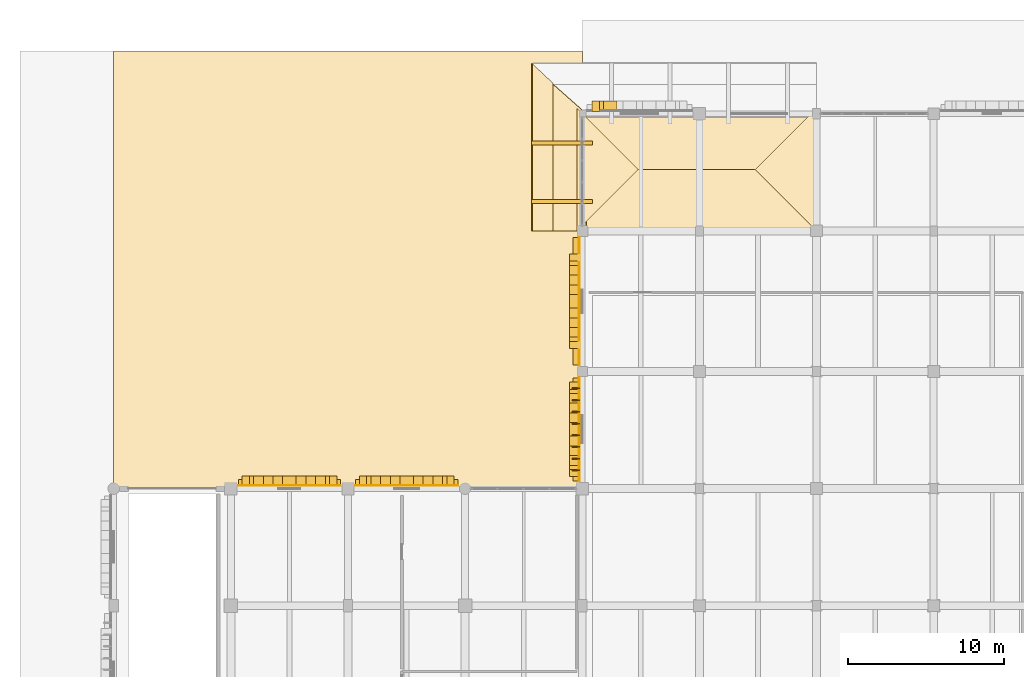
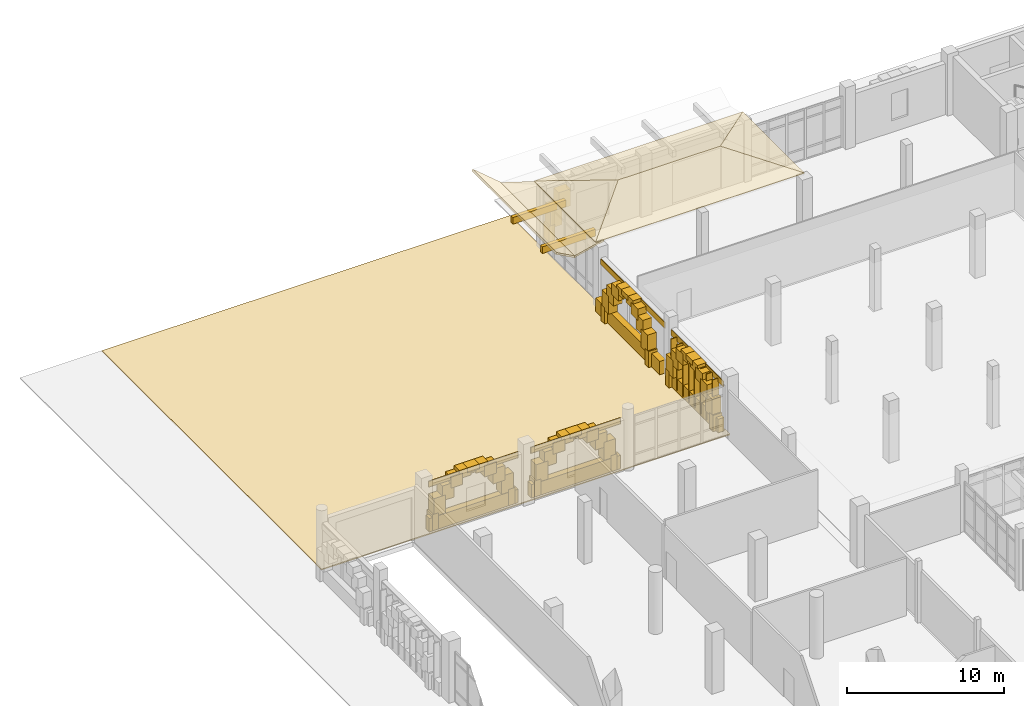
# One storey, part 112 of 125: 64 coverings, 8 shading devices.
"""IFC4 building model written with IfcOpenShell, lengths in metres."""

from ifc_helpers import new_model, si_unit, direction, frame, origin, origin_2d, place, context, subcontext, project, spatial, polyline, rectangle, outline, extrude, material, layer, layer_set, type_object, element, save


model = new_model("IFC4")

# Units and contexts
model_context = context("Model", 3, precision=1e-05, world=origin(), true_north=direction((0.0, 1.0)))
body_context = subcontext(model_context, "Body", "Model", "MODEL_VIEW")
ifc_project = project(units=[si_unit("LENGTHUNIT", "METRE"), si_unit("AREAUNIT", "SQUARE_METRE"), si_unit("VOLUMEUNIT", "CUBIC_METRE"), si_unit("PLANEANGLEUNIT", "RADIAN"), si_unit("MASSUNIT", "GRAM", prefix="KILO")], contexts=[model_context])

# Site, building, storey
site_placement = place(None, origin())
site = spatial("IfcSite", under=ifc_project, at=site_placement, CompositionType="ELEMENT")
building_placement = place(site_placement, origin())
building = spatial("IfcBuilding", under=site, at=building_placement, Name="Dalvernix Boulevard General Hospital", CompositionType="ELEMENT")
storey_placement = place(building_placement, origin())
storey = spatial("IfcBuildingStorey", under=building, at=storey_placement, Name="L00", CompositionType="ELEMENT", Elevation=0.0)

# Coverings
ifc_material_1 = material(Name="Pressed Catalan clay brick and dressed limestone parabolic archivolt", Category="masonry")
ifc_layer_1 = layer(ifc_material_1, 0.419921875)
ifc_layer_set_1 = layer_set([ifc_layer_1], Name="Pressed Catalan clay brick and dressed limestone parabolic archivolt (COV-ARC-01)")
covering_type_1 = type_object("IfcCoveringType", Name="COV-ARC-01", PredefinedType="CLADDING", material=ifc_layer_set_1)
for number, where, z_axis, x_axis, name in (
    (1, (8.449951171875, 93.485107421875, 0.0), (0.0, 0.0, 1.0), (1.0, 0.0, 0.0), "L00 Catalan parabolic arch impost pier N 1-12-L"),
    (2, (14.050048828125, 93.485107421875, 0.0), (0.0, 0.0, 1.0), (1.0, 0.0, 0.0), "L00 Catalan parabolic arch impost pier N 1-12-R"),
):
    element("IfcCovering", number, at=place(storey_placement, frame(where, z_axis=z_axis, x_axis=x_axis)), inside=storey, type_object=covering_type_1, Name=name, PredefinedType="CLADDING", context=body_context, shape_type="SweptSolid", body=[
        extrude(rectangle(XDim=0.4599609375, YDim=0.659912109375, at=origin_2d()), origin(), (0.0, 0.0, 1.0), 1.25),
    ])
covering_1_placement = place(storey_placement, frame((8.760986328125, 93.485107421875, 1.059814453125), z_axis=(0.0, 0.0, 1.0), x_axis=(1.0, 0.0, 0.0)))
element("IfcCovering", 3, at=covering_1_placement, inside=storey, type_object=covering_type_1, Name="L00 Catalan parabolic archivolt voussoir N 1-12-1", PredefinedType="CLADDING", context=body_context, shape_type="SweptSolid", body=[
    extrude(rectangle(XDim=0.8623046875, YDim=0.659912109375, at=origin_2d()), origin(), (0.0, 0.0, 1.0), 1.3994140625),
])
covering_2_placement = place(storey_placement, frame((9.38330078125, 93.485107421875, 2.07958984375), z_axis=(0.0, 0.0, 1.0), x_axis=(1.0, 0.0, 0.0)))
element("IfcCovering", 4, at=covering_2_placement, inside=storey, type_object=covering_type_1, Name="L00 Catalan parabolic archivolt voussoir N 1-12-2", PredefinedType="CLADDING", context=body_context, shape_type="SweptSolid", body=[
    extrude(rectangle(XDim=0.8623046875, YDim=0.659912109375, at=origin_2d()), origin(), (0.0, 0.0, 1.0), 1.144287109375),
])
covering_3_placement = place(storey_placement, frame((10.005615234375, 93.485107421875, 2.84375), z_axis=(0.0, 0.0, 1.0), x_axis=(1.0, 0.0, 0.0)))
element("IfcCovering", 5, at=covering_3_placement, inside=storey, type_object=covering_type_1, Name="L00 Catalan parabolic archivolt voussoir N 1-12-3", PredefinedType="CLADDING", context=body_context, shape_type="SweptSolid", body=[
    extrude(rectangle(XDim=0.8623046875, YDim=0.659912109375, at=origin_2d()), origin(), (0.0, 0.0, 1.0), 0.8896484375),
])
covering_4_placement = place(storey_placement, frame((10.627685546875, 93.485107421875, 3.353271484375), z_axis=(0.0, 0.0, 1.0), x_axis=(1.0, 0.0, 0.0)))
element("IfcCovering", 6, at=covering_4_placement, inside=storey, type_object=covering_type_1, Name="L00 Catalan parabolic archivolt voussoir N 1-12-4", PredefinedType="CLADDING", context=body_context, shape_type="SweptSolid", body=[
    extrude(rectangle(XDim=0.8623046875, YDim=0.659912109375, at=origin_2d()), origin(), (0.0, 0.0, 1.0), 0.634765625),
])
covering_5_placement = place(storey_placement, frame((11.25, 93.485107421875, 3.608154296875), z_axis=(0.0, 0.0, 1.0), x_axis=(1.0, 0.0, 0.0)))
element("IfcCovering", 7, at=covering_5_placement, inside=storey, type_object=covering_type_1, Name="L00 Catalan parabolic archivolt voussoir N 1-12-5", PredefinedType="CLADDING", context=body_context, shape_type="SweptSolid", body=[
    extrude(rectangle(XDim=0.8623046875, YDim=0.659912109375, at=origin_2d()), origin(), (0.0, 0.0, 1.0), 0.3798828125),
])
covering_6_placement = place(storey_placement, frame((11.872314453125, 93.485107421875, 3.353271484375), z_axis=(0.0, 0.0, 1.0), x_axis=(1.0, 0.0, 0.0)))
element("IfcCovering", 8, at=covering_6_placement, inside=storey, type_object=covering_type_1, Name="L00 Catalan parabolic archivolt voussoir N 1-12-6", PredefinedType="CLADDING", context=body_context, shape_type="SweptSolid", body=[
    extrude(rectangle(XDim=0.8623046875, YDim=0.659912109375, at=origin_2d()), origin(), (0.0, 0.0, 1.0), 0.634765625),
])
covering_7_placement = place(storey_placement, frame((12.494384765625, 93.485107421875, 2.84375), z_axis=(0.0, 0.0, 1.0), x_axis=(1.0, 0.0, 0.0)))
element("IfcCovering", 9, at=covering_7_placement, inside=storey, type_object=covering_type_1, Name="L00 Catalan parabolic archivolt voussoir N 1-12-7", PredefinedType="CLADDING", context=body_context, shape_type="SweptSolid", body=[
    extrude(rectangle(XDim=0.8623046875, YDim=0.659912109375, at=origin_2d()), origin(), (0.0, 0.0, 1.0), 0.8896484375),
])
covering_8_placement = place(storey_placement, frame((13.11669921875, 93.485107421875, 2.07958984375), z_axis=(0.0, 0.0, 1.0), x_axis=(1.0, 0.0, 0.0)))
element("IfcCovering", 10, at=covering_8_placement, inside=storey, type_object=covering_type_1, Name="L00 Catalan parabolic archivolt voussoir N 1-12-8", PredefinedType="CLADDING", context=body_context, shape_type="SweptSolid", body=[
    extrude(rectangle(XDim=0.8623046875, YDim=0.659912109375, at=origin_2d()), origin(), (0.0, 0.0, 1.0), 1.144287109375),
])
covering_9_placement = place(storey_placement, frame((13.739013671875, 93.485107421875, 1.059814453125), z_axis=(0.0, 0.0, 1.0), x_axis=(1.0, 0.0, 0.0)))
element("IfcCovering", 11, at=covering_9_placement, inside=storey, type_object=covering_type_1, Name="L00 Catalan parabolic archivolt voussoir N 1-12-9", PredefinedType="CLADDING", context=body_context, shape_type="SweptSolid", body=[
    extrude(rectangle(XDim=0.8623046875, YDim=0.659912109375, at=origin_2d()), origin(), (0.0, 0.0, 1.0), 1.3994140625),
])
for number, where, z_axis, x_axis, name in (
    (12, (15.96240234375, 93.485107421875, 0.0), (0.0, 0.0, 1.0), (1.0, 0.0, 0.0), "L00 Catalan parabolic arch impost pier N 2-12-L"),
    (13, (21.5625, 93.485107421875, 0.0), (0.0, 0.0, 1.0), (1.0, 0.0, 0.0), "L00 Catalan parabolic arch impost pier N 2-12-R"),
):
    element("IfcCovering", number, at=place(storey_placement, frame(where, z_axis=z_axis, x_axis=x_axis)), inside=storey, type_object=covering_type_1, Name=name, PredefinedType="CLADDING", context=body_context, shape_type="SweptSolid", body=[
        extrude(rectangle(XDim=0.4599609375, YDim=0.659912109375, at=origin_2d()), origin(), (0.0, 0.0, 1.0), 1.25),
    ])
covering_10_placement = place(storey_placement, frame((16.273681640625, 93.485107421875, 1.059814453125), z_axis=(0.0, 0.0, 1.0), x_axis=(1.0, 0.0, 0.0)))
element("IfcCovering", 14, at=covering_10_placement, inside=storey, type_object=covering_type_1, Name="L00 Catalan parabolic archivolt voussoir N 2-12-1", PredefinedType="CLADDING", context=body_context, shape_type="SweptSolid", body=[
    extrude(rectangle(XDim=0.8623046875, YDim=0.659912109375, at=origin_2d()), origin(), (0.0, 0.0, 1.0), 1.3994140625),
])
covering_11_placement = place(storey_placement, frame((16.895751953125, 93.485107421875, 2.07958984375), z_axis=(0.0, 0.0, 1.0), x_axis=(1.0, 0.0, 0.0)))
element("IfcCovering", 15, at=covering_11_placement, inside=storey, type_object=covering_type_1, Name="L00 Catalan parabolic archivolt voussoir N 2-12-2", PredefinedType="CLADDING", context=body_context, shape_type="SweptSolid", body=[
    extrude(rectangle(XDim=0.8623046875, YDim=0.659912109375, at=origin_2d()), origin(), (0.0, 0.0, 1.0), 1.144287109375),
])
covering_12_placement = place(storey_placement, frame((17.51806640625, 93.485107421875, 2.84375), z_axis=(0.0, 0.0, 1.0), x_axis=(1.0, 0.0, 0.0)))
element("IfcCovering", 16, at=covering_12_placement, inside=storey, type_object=covering_type_1, Name="L00 Catalan parabolic archivolt voussoir N 2-12-3", PredefinedType="CLADDING", context=body_context, shape_type="SweptSolid", body=[
    extrude(rectangle(XDim=0.8623046875, YDim=0.659912109375, at=origin_2d()), origin(), (0.0, 0.0, 1.0), 0.8896484375),
])
covering_13_placement = place(storey_placement, frame((18.140380859375, 93.485107421875, 3.353271484375), z_axis=(0.0, 0.0, 1.0), x_axis=(1.0, 0.0, 0.0)))
element("IfcCovering", 17, at=covering_13_placement, inside=storey, type_object=covering_type_1, Name="L00 Catalan parabolic archivolt voussoir N 2-12-4", PredefinedType="CLADDING", context=body_context, shape_type="SweptSolid", body=[
    extrude(rectangle(XDim=0.8623046875, YDim=0.659912109375, at=origin_2d()), origin(), (0.0, 0.0, 1.0), 0.634765625),
])
covering_14_placement = place(storey_placement, frame((18.762451171875, 93.485107421875, 3.608154296875), z_axis=(0.0, 0.0, 1.0), x_axis=(1.0, 0.0, 0.0)))
element("IfcCovering", 18, at=covering_14_placement, inside=storey, type_object=covering_type_1, Name="L00 Catalan parabolic archivolt voussoir N 2-12-5", PredefinedType="CLADDING", context=body_context, shape_type="SweptSolid", body=[
    extrude(rectangle(XDim=0.8623046875, YDim=0.659912109375, at=origin_2d()), origin(), (0.0, 0.0, 1.0), 0.3798828125),
])
covering_15_placement = place(storey_placement, frame((19.384765625, 93.485107421875, 3.353271484375), z_axis=(0.0, 0.0, 1.0), x_axis=(1.0, 0.0, 0.0)))
element("IfcCovering", 19, at=covering_15_placement, inside=storey, type_object=covering_type_1, Name="L00 Catalan parabolic archivolt voussoir N 2-12-6", PredefinedType="CLADDING", context=body_context, shape_type="SweptSolid", body=[
    extrude(rectangle(XDim=0.8623046875, YDim=0.659912109375, at=origin_2d()), origin(), (0.0, 0.0, 1.0), 0.634765625),
])
covering_16_placement = place(storey_placement, frame((20.0068359375, 93.485107421875, 2.84375), z_axis=(0.0, 0.0, 1.0), x_axis=(1.0, 0.0, 0.0)))
element("IfcCovering", 20, at=covering_16_placement, inside=storey, type_object=covering_type_1, Name="L00 Catalan parabolic archivolt voussoir N 2-12-7", PredefinedType="CLADDING", context=body_context, shape_type="SweptSolid", body=[
    extrude(rectangle(XDim=0.8623046875, YDim=0.659912109375, at=origin_2d()), origin(), (0.0, 0.0, 1.0), 0.8896484375),
])
covering_17_placement = place(storey_placement, frame((20.629150390625, 93.485107421875, 2.07958984375), z_axis=(0.0, 0.0, 1.0), x_axis=(1.0, 0.0, 0.0)))
element("IfcCovering", 21, at=covering_17_placement, inside=storey, type_object=covering_type_1, Name="L00 Catalan parabolic archivolt voussoir N 2-12-8", PredefinedType="CLADDING", context=body_context, shape_type="SweptSolid", body=[
    extrude(rectangle(XDim=0.8623046875, YDim=0.659912109375, at=origin_2d()), origin(), (0.0, 0.0, 1.0), 1.144287109375),
])
covering_18_placement = place(storey_placement, frame((21.25146484375, 93.485107421875, 1.059814453125), z_axis=(0.0, 0.0, 1.0), x_axis=(1.0, 0.0, 0.0)))
element("IfcCovering", 22, at=covering_18_placement, inside=storey, type_object=covering_type_1, Name="L00 Catalan parabolic archivolt voussoir N 2-12-9", PredefinedType="CLADDING", context=body_context, shape_type="SweptSolid", body=[
    extrude(rectangle(XDim=0.8623046875, YDim=0.659912109375, at=origin_2d()), origin(), (0.0, 0.0, 1.0), 1.3994140625),
])
for number, where, z_axis, x_axis, name in (
    (23, (29.514892578125, 93.987548828125, 0.0), (0.0, 0.0, 1.0), (0.0, 1.0, 0.0), "L00 Catalan parabolic arch impost pier W 4-12-L"),
    (24, (29.514892578125, 99.58740234375, 0.0), (0.0, 0.0, 1.0), (0.0, 1.0, 0.0), "L00 Catalan parabolic arch impost pier W 4-12-R"),
):
    element("IfcCovering", number, at=place(storey_placement, frame(where, z_axis=z_axis, x_axis=x_axis)), inside=storey, type_object=covering_type_1, Name=name, PredefinedType="CLADDING", context=body_context, shape_type="SweptSolid", body=[
        extrude(rectangle(XDim=0.4599609375, YDim=0.659912109375, at=origin_2d()), origin(), (0.0, 0.0, 1.0), 1.25),
    ])
covering_19_placement = place(storey_placement, frame((29.514892578125, 94.298583984375, 1.06005859375), z_axis=(0.0, 0.0, 1.0), x_axis=(0.0, 1.0, 0.0)))
element("IfcCovering", 25, at=covering_19_placement, inside=storey, type_object=covering_type_1, Name="L00 Catalan parabolic archivolt voussoir W 4-12-1", PredefinedType="CLADDING", context=body_context, shape_type="SweptSolid", body=[
    extrude(rectangle(XDim=0.8623046875, YDim=0.659912109375, at=origin_2d()), origin(), (0.0, 0.0, 1.0), 1.37939453125),
])
covering_20_placement = place(storey_placement, frame((29.514892578125, 94.9208984375, 2.0595703125), z_axis=(0.0, 0.0, 1.0), x_axis=(0.0, 1.0, 0.0)))
element("IfcCovering", 26, at=covering_20_placement, inside=storey, type_object=covering_type_1, Name="L00 Catalan parabolic archivolt voussoir W 4-12-2", PredefinedType="CLADDING", context=body_context, shape_type="SweptSolid", body=[
    extrude(rectangle(XDim=0.8623046875, YDim=0.659912109375, at=origin_2d()), origin(), (0.0, 0.0, 1.0), 1.129638671875),
])
covering_21_placement = place(storey_placement, frame((29.514892578125, 95.543212890625, 2.80908203125), z_axis=(0.0, 0.0, 1.0), x_axis=(0.0, 1.0, 0.0)))
element("IfcCovering", 27, at=covering_21_placement, inside=storey, type_object=covering_type_1, Name="L00 Catalan parabolic archivolt voussoir W 4-12-3", PredefinedType="CLADDING", context=body_context, shape_type="SweptSolid", body=[
    extrude(rectangle(XDim=0.8623046875, YDim=0.659912109375, at=origin_2d()), origin(), (0.0, 0.0, 1.0), 0.8798828125),
])
covering_22_placement = place(storey_placement, frame((29.514892578125, 96.165283203125, 3.308837890625), z_axis=(0.0, 0.0, 1.0), x_axis=(0.0, 1.0, 0.0)))
element("IfcCovering", 28, at=covering_22_placement, inside=storey, type_object=covering_type_1, Name="L00 Catalan parabolic archivolt voussoir W 4-12-4", PredefinedType="CLADDING", context=body_context, shape_type="SweptSolid", body=[
    extrude(rectangle(XDim=0.8623046875, YDim=0.659912109375, at=origin_2d()), origin(), (0.0, 0.0, 1.0), 0.6298828125),
])
covering_23_placement = place(storey_placement, frame((29.514892578125, 96.78759765625, 3.558837890625), z_axis=(0.0, 0.0, 1.0), x_axis=(0.0, 1.0, 0.0)))
element("IfcCovering", 29, at=covering_23_placement, inside=storey, type_object=covering_type_1, Name="L00 Catalan parabolic archivolt voussoir W 4-12-5", PredefinedType="CLADDING", context=body_context, shape_type="SweptSolid", body=[
    extrude(rectangle(XDim=0.8623046875, YDim=0.659912109375, at=origin_2d()), origin(), (0.0, 0.0, 1.0), 0.3798828125),
])
covering_24_placement = place(storey_placement, frame((29.514892578125, 97.40966796875, 3.308837890625), z_axis=(0.0, 0.0, 1.0), x_axis=(0.0, 1.0, 0.0)))
element("IfcCovering", 30, at=covering_24_placement, inside=storey, type_object=covering_type_1, Name="L00 Catalan parabolic archivolt voussoir W 4-12-6", PredefinedType="CLADDING", context=body_context, shape_type="SweptSolid", body=[
    extrude(rectangle(XDim=0.8623046875, YDim=0.659912109375, at=origin_2d()), origin(), (0.0, 0.0, 1.0), 0.6298828125),
])
covering_25_placement = place(storey_placement, frame((29.514892578125, 98.031982421875, 2.80908203125), z_axis=(0.0, 0.0, 1.0), x_axis=(0.0, 1.0, 0.0)))
element("IfcCovering", 31, at=covering_25_placement, inside=storey, type_object=covering_type_1, Name="L00 Catalan parabolic archivolt voussoir W 4-12-7", PredefinedType="CLADDING", context=body_context, shape_type="SweptSolid", body=[
    extrude(rectangle(XDim=0.8623046875, YDim=0.659912109375, at=origin_2d()), origin(), (0.0, 0.0, 1.0), 0.8798828125),
])
covering_26_placement = place(storey_placement, frame((29.514892578125, 98.654296875, 2.0595703125), z_axis=(0.0, 0.0, 1.0), x_axis=(0.0, 1.0, 0.0)))
element("IfcCovering", 32, at=covering_26_placement, inside=storey, type_object=covering_type_1, Name="L00 Catalan parabolic archivolt voussoir W 4-12-8", PredefinedType="CLADDING", context=body_context, shape_type="SweptSolid", body=[
    extrude(rectangle(XDim=0.8623046875, YDim=0.659912109375, at=origin_2d()), origin(), (0.0, 0.0, 1.0), 1.129638671875),
])
covering_27_placement = place(storey_placement, frame((29.514892578125, 99.2763671875, 1.06005859375), z_axis=(0.0, 0.0, 1.0), x_axis=(0.0, 1.0, 0.0)))
element("IfcCovering", 33, at=covering_27_placement, inside=storey, type_object=covering_type_1, Name="L00 Catalan parabolic archivolt voussoir W 4-12-9", PredefinedType="CLADDING", context=body_context, shape_type="SweptSolid", body=[
    extrude(rectangle(XDim=0.8623046875, YDim=0.659912109375, at=origin_2d()), origin(), (0.0, 0.0, 1.0), 1.37939453125),
])
for number, where, z_axis, x_axis, name in (
    (34, (29.514892578125, 102.1875, 0.0), (0.0, 0.0, 1.0), (0.0, 1.0, 0.0), "L00 Catalan parabolic arch impost pier W 4-13-L"),
    (35, (29.514892578125, 107.78759765625, 0.0), (0.0, 0.0, 1.0), (0.0, 1.0, 0.0), "L00 Catalan parabolic arch impost pier W 4-13-R"),
):
    element("IfcCovering", number, at=place(storey_placement, frame(where, z_axis=z_axis, x_axis=x_axis)), inside=storey, type_object=covering_type_1, Name=name, PredefinedType="CLADDING", context=body_context, shape_type="SweptSolid", body=[
        extrude(rectangle(XDim=0.4599609375, YDim=0.659912109375, at=origin_2d()), origin(), (0.0, 0.0, 1.0), 1.25),
    ])
covering_28_placement = place(storey_placement, frame((29.514892578125, 102.49853515625, 1.059814453125), z_axis=(0.0, 0.0, 1.0), x_axis=(0.0, 1.0, 0.0)))
element("IfcCovering", 36, at=covering_28_placement, inside=storey, type_object=covering_type_1, Name="L00 Catalan parabolic archivolt voussoir W 4-13-1", PredefinedType="CLADDING", context=body_context, shape_type="SweptSolid", body=[
    extrude(rectangle(XDim=0.8623046875, YDim=0.659912109375, at=origin_2d()), origin(), (0.0, 0.0, 1.0), 1.3994140625),
])
covering_29_placement = place(storey_placement, frame((29.514892578125, 103.120849609375, 2.07958984375), z_axis=(0.0, 0.0, 1.0), x_axis=(0.0, 1.0, 0.0)))
element("IfcCovering", 37, at=covering_29_placement, inside=storey, type_object=covering_type_1, Name="L00 Catalan parabolic archivolt voussoir W 4-13-2", PredefinedType="CLADDING", context=body_context, shape_type="SweptSolid", body=[
    extrude(rectangle(XDim=0.8623046875, YDim=0.659912109375, at=origin_2d()), origin(), (0.0, 0.0, 1.0), 1.144287109375),
])
covering_30_placement = place(storey_placement, frame((29.514892578125, 103.7431640625, 2.84375), z_axis=(0.0, 0.0, 1.0), x_axis=(0.0, 1.0, 0.0)))
element("IfcCovering", 38, at=covering_30_placement, inside=storey, type_object=covering_type_1, Name="L00 Catalan parabolic archivolt voussoir W 4-13-3", PredefinedType="CLADDING", context=body_context, shape_type="SweptSolid", body=[
    extrude(rectangle(XDim=0.8623046875, YDim=0.659912109375, at=origin_2d()), origin(), (0.0, 0.0, 1.0), 0.8896484375),
])
covering_31_placement = place(storey_placement, frame((29.514892578125, 104.365234375, 3.353271484375), z_axis=(0.0, 0.0, 1.0), x_axis=(0.0, 1.0, 0.0)))
element("IfcCovering", 39, at=covering_31_placement, inside=storey, type_object=covering_type_1, Name="L00 Catalan parabolic archivolt voussoir W 4-13-4", PredefinedType="CLADDING", context=body_context, shape_type="SweptSolid", body=[
    extrude(rectangle(XDim=0.8623046875, YDim=0.659912109375, at=origin_2d()), origin(), (0.0, 0.0, 1.0), 0.634765625),
])
covering_32_placement = place(storey_placement, frame((29.514892578125, 104.987548828125, 3.608154296875), z_axis=(0.0, 0.0, 1.0), x_axis=(0.0, 1.0, 0.0)))
element("IfcCovering", 40, at=covering_32_placement, inside=storey, type_object=covering_type_1, Name="L00 Catalan parabolic archivolt voussoir W 4-13-5", PredefinedType="CLADDING", context=body_context, shape_type="SweptSolid", body=[
    extrude(rectangle(XDim=0.8623046875, YDim=0.659912109375, at=origin_2d()), origin(), (0.0, 0.0, 1.0), 0.3798828125),
])
covering_33_placement = place(storey_placement, frame((29.514892578125, 105.609619140625, 3.353271484375), z_axis=(0.0, 0.0, 1.0), x_axis=(0.0, 1.0, 0.0)))
element("IfcCovering", 41, at=covering_33_placement, inside=storey, type_object=covering_type_1, Name="L00 Catalan parabolic archivolt voussoir W 4-13-6", PredefinedType="CLADDING", context=body_context, shape_type="SweptSolid", body=[
    extrude(rectangle(XDim=0.8623046875, YDim=0.659912109375, at=origin_2d()), origin(), (0.0, 0.0, 1.0), 0.634765625),
])
covering_34_placement = place(storey_placement, frame((29.514892578125, 106.23193359375, 2.84375), z_axis=(0.0, 0.0, 1.0), x_axis=(0.0, 1.0, 0.0)))
element("IfcCovering", 42, at=covering_34_placement, inside=storey, type_object=covering_type_1, Name="L00 Catalan parabolic archivolt voussoir W 4-13-7", PredefinedType="CLADDING", context=body_context, shape_type="SweptSolid", body=[
    extrude(rectangle(XDim=0.8623046875, YDim=0.659912109375, at=origin_2d()), origin(), (0.0, 0.0, 1.0), 0.8896484375),
])
covering_35_placement = place(storey_placement, frame((29.514892578125, 106.854248046875, 2.07958984375), z_axis=(0.0, 0.0, 1.0), x_axis=(0.0, 1.0, 0.0)))
element("IfcCovering", 43, at=covering_35_placement, inside=storey, type_object=covering_type_1, Name="L00 Catalan parabolic archivolt voussoir W 4-13-8", PredefinedType="CLADDING", context=body_context, shape_type="SweptSolid", body=[
    extrude(rectangle(XDim=0.8623046875, YDim=0.659912109375, at=origin_2d()), origin(), (0.0, 0.0, 1.0), 1.144287109375),
])
covering_36_placement = place(storey_placement, frame((29.514892578125, 107.476318359375, 1.059814453125), z_axis=(0.0, 0.0, 1.0), x_axis=(0.0, 1.0, 0.0)))
element("IfcCovering", 44, at=covering_36_placement, inside=storey, type_object=covering_type_1, Name="L00 Catalan parabolic archivolt voussoir W 4-13-9", PredefinedType="CLADDING", context=body_context, shape_type="SweptSolid", body=[
    extrude(rectangle(XDim=0.8623046875, YDim=0.659912109375, at=origin_2d()), origin(), (0.0, 0.0, 1.0), 1.3994140625),
])
covering_37_placement = place(storey_placement, frame((30.862548828125, 117.485107421875, 0.0), z_axis=(0.0, 0.0, 1.0), x_axis=(1.0, 0.0, 0.0)))
element("IfcCovering", 45, at=covering_37_placement, inside=storey, type_object=covering_type_1, Name="L00 Catalan parabolic arch impost pier N 4-15-L", PredefinedType="CLADDING", context=body_context, shape_type="SweptSolid", body=[
    extrude(rectangle(XDim=0.4599609375, YDim=0.659912109375, at=origin_2d()), origin(), (0.0, 0.0, 1.0), 1.25),
])
covering_38_placement = place(storey_placement, frame((31.173583984375, 117.485107421875, 1.06005859375), z_axis=(0.0, 0.0, 1.0), x_axis=(1.0, 0.0, 0.0)))
element("IfcCovering", 46, at=covering_38_placement, inside=storey, type_object=covering_type_1, Name="L00 Catalan parabolic archivolt voussoir N 4-15-1", PredefinedType="CLADDING", context=body_context, shape_type="SweptSolid", body=[
    extrude(rectangle(XDim=0.8623046875, YDim=0.659912109375, at=origin_2d()), origin(), (0.0, 0.0, 1.0), 1.616455078125),
])
covering_39_placement = place(storey_placement, frame((31.7958984375, 117.485107421875, 2.29638671875), z_axis=(0.0, 0.0, 1.0), x_axis=(1.0, 0.0, 0.0)))
element("IfcCovering", 47, at=covering_39_placement, inside=storey, type_object=covering_type_1, Name="L00 Catalan parabolic archivolt voussoir N 4-15-2", PredefinedType="CLADDING", context=body_context, shape_type="SweptSolid", body=[
    extrude(rectangle(XDim=0.8623046875, YDim=0.659912109375, at=origin_2d()), origin(), (0.0, 0.0, 1.0), 1.307373046875),
])
ifc_material_2 = material(Name="Polychrome Catalan glazed ceramic spandrel tile panel")
ifc_layer_2 = layer(ifc_material_2, 0.044921875)
ifc_layer_set_2 = layer_set([ifc_layer_2], Name="Polychrome Catalan glazed ceramic spandrel tile panel (COV-CLD-01)")
covering_type_2 = type_object("IfcCoveringType", Name="COV-CLD-01", PredefinedType="CLADDING", material=ifc_layer_set_2)
covering_40_placement = place(storey_placement, frame((11.25, 93.195068359375, 3.47509765625), z_axis=(0.0, 0.0, 1.0), x_axis=(1.0, 0.0, 0.0)))
element("IfcCovering", 48, at=covering_40_placement, inside=storey, type_object=covering_type_2, Name="L00 polychrome ceramic spandrel N 1-12", PredefinedType="CLADDING", context=body_context, shape_type="SweptSolid", body=[
    extrude(rectangle(XDim=6.580078125, YDim=0.044921875, at=origin_2d()), origin(), (0.0, 0.0, 1.0), 0.449951171875),
])
covering_41_placement = place(storey_placement, frame((18.762451171875, 93.195068359375, 3.47509765625), z_axis=(0.0, 0.0, 1.0), x_axis=(1.0, 0.0, 0.0)))
element("IfcCovering", 49, at=covering_41_placement, inside=storey, type_object=covering_type_2, Name="L00 polychrome ceramic spandrel N 2-12", PredefinedType="CLADDING", context=body_context, shape_type="SweptSolid", body=[
    extrude(rectangle(XDim=6.60498046875, YDim=0.044921875, at=origin_2d()), origin(), (0.0, 0.0, 1.0), 0.449951171875),
])
covering_42_placement = place(storey_placement, frame((29.804931640625, 96.78759765625, 3.4248046875), z_axis=(0.0, 0.0, 1.0), x_axis=(0.0, 1.0, 0.0)))
element("IfcCovering", 50, at=covering_42_placement, inside=storey, type_object=covering_type_2, Name="L00 polychrome ceramic spandrel W 4-12", PredefinedType="CLADDING", context=body_context, shape_type="SweptSolid", body=[
    extrude(rectangle(XDim=6.655029296875, YDim=0.044921875, at=origin_2d()), origin(), (0.0, 0.0, 1.0), 0.449951171875),
])
covering_43_placement = place(storey_placement, frame((29.804931640625, 104.987548828125, 3.47509765625), z_axis=(0.0, 0.0, 1.0), x_axis=(0.0, 1.0, 0.0)))
element("IfcCovering", 51, at=covering_43_placement, inside=storey, type_object=covering_type_2, Name="L00 polychrome ceramic spandrel W 4-13", PredefinedType="CLADDING", context=body_context, shape_type="SweptSolid", body=[
    extrude(rectangle(XDim=8.205078125, YDim=0.044921875, at=origin_2d()), origin(), (0.0, 0.0, 1.0), 0.449951171875),
])
ifc_material_3 = material(Name="Dressed ochre limestone classical plinth, stringcourse and corbelled cornice", Category="masonry")
ifc_layer_3 = layer(ifc_material_3, 0.449951171875)
ifc_layer_set_3 = layer_set([ifc_layer_3], Name="Dressed ochre limestone classical plinth, stringcourse and corbelled cornice (COV-CRN-01)")
covering_type_3 = type_object("IfcCoveringType", Name="COV-CRN-01", PredefinedType="CLADDING", material=ifc_layer_set_3)
covering_44_placement = place(storey_placement, frame((11.25, 93.375, 0.0), z_axis=(0.0, 0.0, 1.0), x_axis=(1.0, 0.0, 0.0)))
element("IfcCovering", 52, at=covering_44_placement, inside=storey, type_object=covering_type_3, Name="L00 rusticated limestone classical plinth N 1-12", PredefinedType="CLADDING", context=body_context, shape_type="SweptSolid", body=[
    extrude(rectangle(XDim=6.52001953125, YDim=0.43994140625, at=origin_2d()), origin(), (0.0, 0.0, 1.0), 1.0400390625),
])
covering_45_placement = place(storey_placement, frame((18.762451171875, 93.375, 0.0), z_axis=(0.0, 0.0, 1.0), x_axis=(1.0, 0.0, 0.0)))
element("IfcCovering", 53, at=covering_45_placement, inside=storey, type_object=covering_type_3, Name="L00 rusticated limestone classical plinth N 2-12", PredefinedType="CLADDING", context=body_context, shape_type="SweptSolid", body=[
    extrude(rectangle(XDim=6.544921875, YDim=0.43994140625, at=origin_2d()), origin(), (0.0, 0.0, 1.0), 1.0400390625),
])
covering_46_placement = place(storey_placement, frame((29.625, 96.78759765625, 0.0), z_axis=(0.0, 0.0, 1.0), x_axis=(0.0, 1.0, 0.0)))
element("IfcCovering", 54, at=covering_46_placement, inside=storey, type_object=covering_type_3, Name="L00 rusticated limestone classical plinth W 4-12", PredefinedType="CLADDING", context=body_context, shape_type="SweptSolid", body=[
    extrude(rectangle(XDim=6.594970703125, YDim=0.43994140625, at=origin_2d()), origin(), (0.0, 0.0, 1.0), 1.0400390625),
])
covering_47_placement = place(storey_placement, frame((29.625, 104.987548828125, 0.0), z_axis=(0.0, 0.0, 1.0), x_axis=(0.0, 1.0, 0.0)))
element("IfcCovering", 55, at=covering_47_placement, inside=storey, type_object=covering_type_3, Name="L00 rusticated limestone classical plinth W 4-13", PredefinedType="CLADDING", context=body_context, shape_type="SweptSolid", body=[
    extrude(rectangle(XDim=8.14501953125, YDim=0.43994140625, at=origin_2d()), origin(), (0.0, 0.0, 1.0), 1.0400390625),
])
ifc_material_4 = material(Name="Glazed Catalan terracotta and iroko timber overhanging upturned eave", Category="masonry")
ifc_layer_4 = layer(ifc_material_4, 0.139892578125)
ifc_layer_set_4 = layer_set([ifc_layer_4], Name="Glazed Catalan terracotta and iroko timber overhanging upturned eave (COV-EAVE-01)")
covering_type_4 = type_object("IfcCoveringType", Name="COV-EAVE-01", PredefinedType="CLADDING", material=ifc_layer_set_4)
covering_48_placement = place(storey_placement, frame((30.25, 117.0, 5.006103515625), z_axis=(-0.230038471981, 0.0, 0.97318153569), x_axis=(0.0, -1.0, 0.0)))
element("IfcCovering", 56, at=covering_48_placement, inside=storey, type_object=covering_type_4, Name="V3-L00NW overhanging ceramic eave skirt W", PredefinedType="CLADDING", context=body_context, shape_type="SweptSolid", body=[
    extrude(outline(polyline([(0.0, 0.0), (7.5, 0.0), (7.5, -2.2605763582581444), (-1.949951171875, -2.2605763582581444), (0.0, 0.0)])), origin(), (0.0, 0.0, -1.0), 0.139892578125),
])
covering_49_placement = place(storey_placement, frame((28.1298828125, 118.949951171875, 4.486083984375), z_axis=(0.476101106464, 0.0, 0.879390548291), x_axis=(0.0, -1.0, 0.0)))
element("IfcCovering", 57, at=covering_49_placement, inside=storey, type_object=covering_type_4, Name="V3-L00NW upturned ceramic eave wing W", PredefinedType="CLADDING", context=body_context, shape_type="SweptSolid", body=[
    extrude(outline(polyline([(0.0, 0.0), (9.449951171875, 0.0), (9.449951171875, -1.5122222850351714), (-1.25, -1.5122222850351714), (0.0, 0.0)])), origin(), (0.0, 0.0, -1.0), 0.139892578125),
])
ifc_material_5 = material(Name="Preservative-treated glulam GL28h eave outlooker corbel bracket", Category="wood")
ifc_layer_5 = layer(ifc_material_5, 0.239990234375)
ifc_layer_set_5 = layer_set([ifc_layer_5], Name="Preservative-treated glulam GL28h eave outlooker corbel bracket (COV-OUTLOOK-01)")
covering_type_5 = type_object("IfcCoveringType", Name="COV-OUTLOOK-01", PredefinedType="CLADDING", material=ifc_layer_set_5)
for number, where, z_axis, x_axis, name in (
    (58, (28.699951171875, 111.375, 4.0859375), (0.0, 0.0, 1.0), (1.0, 0.0, 0.0), "V3-L00NW glulam eave outlooker corbel W-1"),
    (59, (28.699951171875, 115.125, 4.0859375), (0.0, 0.0, 1.0), (1.0, 0.0, 0.0), "V3-L00NW glulam eave outlooker corbel W-2"),
):
    element("IfcCovering", number, at=place(storey_placement, frame(where, z_axis=z_axis, x_axis=x_axis)), inside=storey, type_object=covering_type_5, Name=name, PredefinedType="CLADDING", context=body_context, shape_type="SweptSolid", body=[
        extrude(rectangle(XDim=3.89990234375, YDim=0.260009765625, at=origin_2d()), origin(), (0.0, 0.0, 1.0), 0.52001953125),
    ])
ifc_material_6 = material(Name="Permeable granite and clay boulevard paving", Category="masonry")
ifc_layer_6 = layer(ifc_material_6, 0.080078125)
ifc_layer_set_6 = layer_set([ifc_layer_6], Name="Permeable granite and clay boulevard paving (COV-PAV-01)")
covering_type_6 = type_object("IfcCoveringType", Name="COV-PAV-01", PredefinedType="USERDEFINED", material=ifc_layer_set_6)
covering_50_placement = place(storey_placement, frame((0.0, 0.0, -0.080078125)))
element("IfcCovering", 60, at=covering_50_placement, inside=storey, type_object=covering_type_6, Name="Exterior grade paving NW-APRON", ObjectType="PAVING", PredefinedType="USERDEFINED", context=body_context, shape_type="SweptSolid", body=[
    extrude(outline(polyline([(0.0, 93.0), (30.0, 93.0), (30.0, 121.0), (0.0, 121.0), (0.0, 93.0)])), origin(), (0.0, 0.0, 1.0), 0.080078125),
])
ifc_material_7 = material(Name="Polychrome Catalan glazed terracotta roof tiles", Category="masonry")
ifc_layer_7 = layer(ifc_material_7, 0.050048828125)
ifc_layer_set_7 = layer_set([ifc_layer_7], Name="Polychrome Catalan glazed terracotta roof tiles (COV-ROOF-01)")
covering_type_7 = type_object("IfcCoveringType", Name="COV-ROOF-01", PredefinedType="ROOFING", material=ifc_layer_set_7)
for number, where, z_axis, x_axis, name in (
    (61, (29.64990234375, 109.5, 5.01611328125), (0.0, -0.265536966303, 0.964100679144), (1.0, 0.0, 0.0), "V3-L00NW glazed terracotta tile slope S"),
    (62, (45.0, 117.35009765625, 5.01611328125), (0.0, 0.265536966303, 0.964100679144), (-1.0, 0.0, 0.0), "V3-L00NW glazed terracotta tile slope N"),
):
    element("IfcCovering", number, at=place(storey_placement, frame(where, z_axis=z_axis, x_axis=x_axis)), inside=storey, type_object=covering_type_7, Name=name, PredefinedType="ROOFING", context=body_context, shape_type="SweptSolid", body=[
        extrude(outline(polyline([(0.0, 0.0), (15.35009765625, 0.0), (11.425048828125, 4.07120222299644), (3.925048828125, 4.07120222299644), (0.0, 0.0)])), origin(), (0.0, 0.0, -1.0), 0.050048828125),
    ])
for number, where, z_axis, x_axis, name in (
    (63, (29.64990234375, 117.35009765625, 5.01611328125), (-0.265536966303, 0.0, 0.964100679144), (0.0, -1.0, 0.0), "V3-L00NW glazed terracotta tile slope W"),
    (64, (45.0, 109.5, 5.01611328125), (0.265536966303, 0.0, 0.964100679144), (0.0, 1.0, 0.0), "V3-L00NW glazed terracotta tile slope E"),
):
    element("IfcCovering", number, at=place(storey_placement, frame(where, z_axis=z_axis, x_axis=x_axis)), inside=storey, type_object=covering_type_7, Name=name, PredefinedType="ROOFING", context=body_context, shape_type="SweptSolid", body=[
        extrude(outline(polyline([(0.0, 0.0), (7.85009765625, 0.0), (3.925048828125, 4.07120222299644), (0.0, 0.0)])), origin(), (0.0, 0.0, -1.0), 0.050048828125),
    ])

# Shading devices
ifc_material_8 = material(Name="Preservative-treated West African iroko timber", Category="wood")
shading_device_type = type_object("IfcShadingDeviceType", Name="SHD-FIN-01", PredefinedType="USERDEFINED", material=ifc_material_8)
for number, where, z_axis, x_axis, name in (
    (65, (29.594970703125, 94.16259765625, 0.1748046875), (0.0, 0.0, 1.0), (0.0, 1.0, 0.0), "L00 iroko brise-soleil fin 1"),
    (66, (29.594970703125, 94.91259765625, 0.1748046875), (0.0, 0.0, 1.0), (0.0, 1.0, 0.0), "L00 iroko brise-soleil fin 2"),
    (67, (29.594970703125, 95.66259765625, 0.1748046875), (0.0, 0.0, 1.0), (0.0, 1.0, 0.0), "L00 iroko brise-soleil fin 3"),
    (68, (29.594970703125, 96.41259765625, 0.1748046875), (0.0, 0.0, 1.0), (0.0, 1.0, 0.0), "L00 iroko brise-soleil fin 4"),
    (69, (29.594970703125, 97.16259765625, 0.1748046875), (0.0, 0.0, 1.0), (0.0, 1.0, 0.0), "L00 iroko brise-soleil fin 5"),
    (70, (29.594970703125, 97.91259765625, 0.1748046875), (0.0, 0.0, 1.0), (0.0, 1.0, 0.0), "L00 iroko brise-soleil fin 6"),
    (71, (29.594970703125, 98.66259765625, 0.1748046875), (0.0, 0.0, 1.0), (0.0, 1.0, 0.0), "L00 iroko brise-soleil fin 7"),
    (72, (29.594970703125, 99.41259765625, 0.1748046875), (0.0, 0.0, 1.0), (0.0, 1.0, 0.0), "L00 iroko brise-soleil fin 8"),
):
    element("IfcShadingDevice", number, at=place(storey_placement, frame(where, z_axis=z_axis, x_axis=x_axis)), inside=storey, type_object=shading_device_type, Name=name, ObjectType="FIN", PredefinedType="USERDEFINED", context=body_context, shape_type="SweptSolid", body=[
        extrude(rectangle(XDim=0.06494140625, YDim=0.47998046875, at=origin_2d()), origin(), (0.0, 0.0, 1.0), 3.550048828125),
    ])

save(model, "model.ifc")
